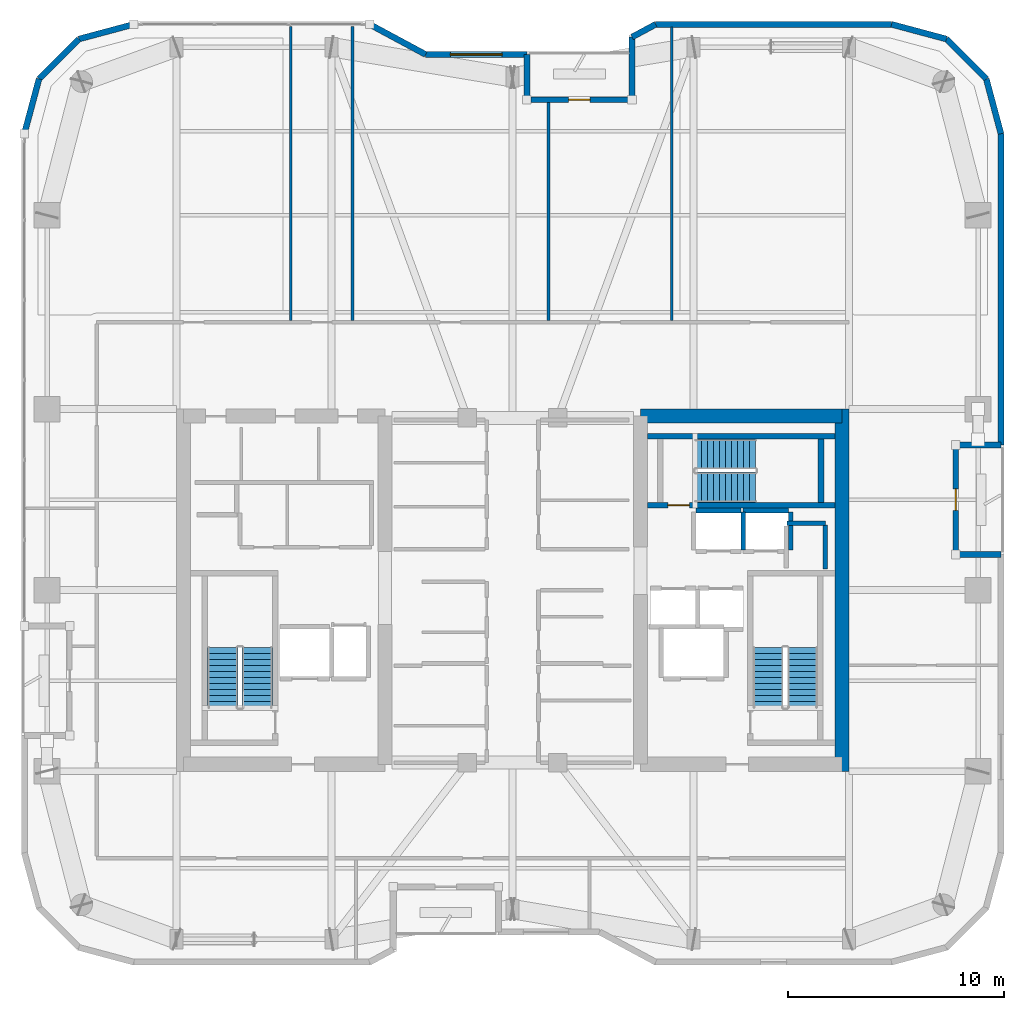
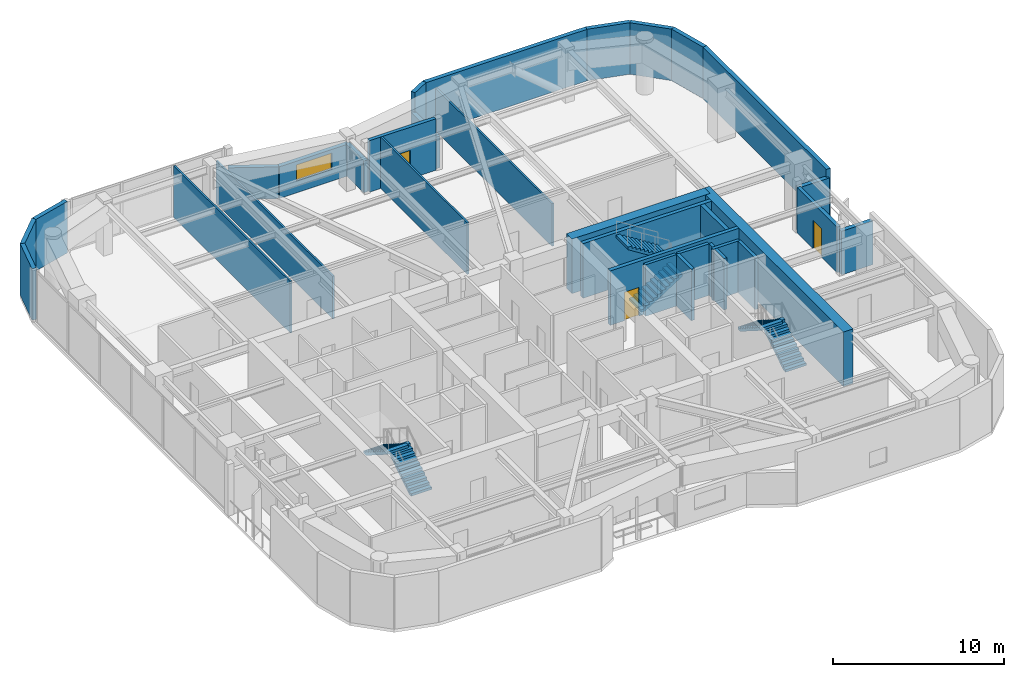
# One storey, part 18 of 21: 32 walls, 6 stair flights, 3 doors, 1 window, 4 openings, 3 elements without a shape of their own.
"""IFC4 building model written with IfcOpenShell, lengths in metres."""

from ifc_helpers import new_model, si_unit, direction, frame, frame_2d, origin, place, context, subcontext, project, spatial, polyline, rectangle, outline, extrude, material, layer, layer_set, type_object, element, fill, aggregate, save


model = new_model("IFC4")

# Units and contexts
model_context = context("Model", 3, precision=1e-05, world=origin(), true_north=direction((0.0, 1.0)))
body_context = subcontext(model_context, "Body", "Model", "MODEL_VIEW")
ifc_project = project(units=[si_unit("LENGTHUNIT", "METRE"), si_unit("AREAUNIT", "SQUARE_METRE"), si_unit("VOLUMEUNIT", "CUBIC_METRE"), si_unit("PLANEANGLEUNIT", "RADIAN"), si_unit("MASSUNIT", "GRAM", prefix="KILO")], contexts=[model_context])

# Site, building, storey
site_placement = place(None, origin())
site = spatial("IfcSite", under=ifc_project, at=site_placement, CompositionType="ELEMENT")
building_placement = place(site_placement, origin())
building = spatial("IfcBuilding", under=site, at=building_placement, Name="Kiyonajd Concourse Tower", CompositionType="ELEMENT")
storey_placement = place(building_placement, frame((0.0, 0.0, 223.199951171875)))
storey = spatial("IfcBuildingStorey", under=building, at=storey_placement, Name="L56", CompositionType="ELEMENT", Elevation=223.199951171875)

# Walls
ifc_material_1 = material(Name="Concrete C60/75", Category="concrete")
ifc_layer_1 = layer(ifc_material_1, 0.64990234375)
ifc_layer_set_1 = layer_set([ifc_layer_1], Name="Concrete C60/75")
wall_type_1 = type_object("IfcWallType", Name="WL-CORE-650", PredefinedType="SHEAR", material=ifc_layer_set_1)
wall_1_placement = place(storey_placement, frame((63.27490234375, 27.60009765625, 0.0), z_axis=(0.0, 0.0, 1.0), x_axis=(0.0, 1.0, 0.0)))
element("IfcWall", 1, at=wall_1_placement, inside=storey, type_object=wall_type_1, Name="L56 East Core Outer Shear Wall", PredefinedType="SHEAR", context=body_context, shape_type="SweptSolid", body=[
    extrude(rectangle(XDim=16.7998046875, YDim=0.64990234375, at=frame_2d((8.39990234375, 0.0))), origin(), (0.0, 0.0, 1.0), 3.900146484375),
])
wall_2_placement = place(storey_placement, frame((53.925048828125, 44.074951171875, 0.0), z_axis=(0.0, 0.0, 1.0), x_axis=(1.0, 0.0, 0.0)))
element("IfcWall", 2, at=wall_2_placement, inside=storey, type_object=wall_type_1, Name="L56 East Core North Shear Wall", PredefinedType="SHEAR", context=body_context, shape_type="SweptSolid", body=[
    extrude(rectangle(XDim=9.349853515625, YDim=0.64990234375, at=frame_2d((4.6748046875, 0.0))), origin(), (0.0, 0.0, 1.0), 3.900146484375),
])
ifc_material_2 = material(Name="Precast concrete C50/60", Category="concrete")
ifc_layer_2 = layer(ifc_material_2, 0.280029296875)
ifc_layer_set_2 = layer_set([ifc_layer_2], Name="Precast concrete C50/60")
wall_type_2 = type_object("IfcWallType", Name="WL-EXT-280", PredefinedType="SOLIDWALL", material=ifc_layer_set_2)
wall_3_placement = place(storey_placement, frame((25.340087890625, 57.181640625, 0.0), z_axis=(0.0, 0.0, 1.0), x_axis=(0.2588904131, 0.965906700466, 0.0)))
element("IfcWall", 3, at=wall_3_placement, inside=storey, type_object=wall_type_2, Name="L56 Exterior Concrete Frame Wall 06", PredefinedType="SOLIDWALL", context=body_context, shape_type="SweptSolid", body=[
    extrude(rectangle(XDim=2.6357421875, YDim=0.280029296875, at=frame_2d((1.31787109375, 0.0))), origin(), (0.0, 0.0, 1.0), 3.679931640625),
])
wall_4_placement = place(storey_placement, frame((26.0224609375, 59.7275390625, 0.0), z_axis=(0.0, 0.0, 1.0), x_axis=(0.707153437963, 0.707060121331, 0.0)))
element("IfcWall", 4, at=wall_4_placement, inside=storey, type_object=wall_type_2, Name="L56 Exterior Concrete Frame Wall 07", PredefinedType="SOLIDWALL", context=body_context, shape_type="SweptSolid", body=[
    extrude(rectangle(XDim=2.6162109375, YDim=0.280029296875, at=frame_2d((1.30810546875, 0.0))), origin(), (0.0, 0.0, 1.0), 3.679931640625),
])
wall_5_placement = place(storey_placement, frame((27.87255859375, 61.577392578125, 0.0), z_axis=(0.0, 0.0, 1.0), x_axis=(0.965883534663, 0.258976828051, 0.0)))
element("IfcWall", 5, at=wall_5_placement, inside=storey, type_object=wall_type_2, Name="L56 Exterior Concrete Frame Wall 08", PredefinedType="SOLIDWALL", context=body_context, shape_type="SweptSolid", body=[
    extrude(rectangle(XDim=2.6357421875, YDim=0.280029296875, at=frame_2d((1.31787109375, 0.0))), origin(), (0.0, 0.0, 1.0), 3.679931640625),
])
wall_6_placement = place(storey_placement, frame((41.36474609375, 62.260009765625, 0.0), z_axis=(0.0, 0.0, 1.0), x_axis=(0.880473754814, -0.474094892488, 0.0)))
element("IfcWall", 6, at=wall_6_placement, inside=storey, type_object=wall_type_2, Name="L56 Exterior Concrete Frame Wall 10", PredefinedType="SOLIDWALL", context=body_context, shape_type="SweptSolid", body=[
    extrude(rectangle(XDim=2.952880859375, YDim=0.280029296875, at=frame_2d((1.4765625, 0.0))), origin(), (0.0, 0.0, 1.0), 2.26513671875),
])

# Wall, opening, window
wall_7_placement = place(storey_placement, frame((43.964599609375, 60.860107421875, 0.0), z_axis=(0.0, 0.0, 1.0), x_axis=(1.0, 0.0, 0.0)))
wall_7 = element("IfcWall", 7, at=wall_7_placement, inside=storey, type_object=wall_type_2, Name="L56 Exterior Concrete Frame Wall 11", PredefinedType="SOLIDWALL", context=body_context, shape_type="SweptSolid", body=[
    extrude(rectangle(XDim=4.6953125, YDim=0.280029296875, at=frame_2d((2.34765625, 0.0))), origin(), (0.0, 0.0, 1.0), 2.26513671875),
])
opening_1_placement = place(wall_7_placement, frame((1.14794921875, 0.0, 0.85009765625)))
opening_1 = element("IfcOpeningElement", 8, at=opening_1_placement, cuts=wall_7, Name="Opening WN4", PredefinedType="OPENING", context=body_context, shape_type="SweptSolid", body=[
    extrude(rectangle(XDim=2.39990234375, YDim=1.14990234375, at=frame_2d((1.199951171875, 0.574951171875))), frame((0.0, 0.14990234375, 0.0), z_axis=(0.0, -1.0, 0.0), x_axis=(1.0, 0.0, 0.0)), (0.0, 0.0, 1.0), 0.300048828125),
])
ifc_material_3 = material(Name="Double Low-E Insulated Glass", Category="glass")
window_type = type_object("IfcWindowType", Name="WN-VIS-2400x1150", PartitioningType="SINGLE_PANEL", PredefinedType="WINDOW", material=ifc_material_3)
window_placement = place(opening_1_placement, origin())
window = element("IfcWindow", 9, at=window_placement, inside=storey, type_object=window_type, Name="L56 Modular Facade Vision Window 11", OverallHeight=1.14990234375, OverallWidth=2.39990234375, PartitioningType="SINGLE_PANEL", PredefinedType="WINDOW", context=body_context, shape_type="SweptSolid", body=[
    extrude(rectangle(XDim=2.39990234375, YDim=1.14990234375, at=frame_2d((1.199951171875, 0.574951171875))), frame((0.0, 0.030029296875, 0.0), z_axis=(0.0, -1.0, 0.0), x_axis=(1.0, 0.0, 0.0)), (0.0, 0.0, 1.0), 0.06005859375),
])
fill(opening_1, window)

# Walls
wall_8_placement = place(storey_placement, frame((48.659912109375, 60.860107421875, 0.0), z_axis=(0.0, 0.0, 1.0), x_axis=(0.0, -1.0, 0.0)))
element("IfcWall", 10, at=wall_8_placement, inside=storey, type_object=wall_type_2, Name="L56 Exterior Concrete Frame Wall 12", PredefinedType="SOLIDWALL", context=body_context, shape_type="SweptSolid", body=[
    extrude(rectangle(XDim=2.10009765625, YDim=0.280029296875, at=frame_2d((1.050048828125, 0.0))), origin(), (0.0, 0.0, 1.0), 2.26513671875),
])
wall_9_placement = place(storey_placement, frame((53.5400390625, 58.760009765625, 0.0), z_axis=(0.0, 0.0, 1.0), x_axis=(0.0, 1.0, 0.0)))
element("IfcWall", 11, at=wall_9_placement, inside=storey, type_object=wall_type_2, Name="L56 Exterior Concrete Frame Wall 14", PredefinedType="SOLIDWALL", context=body_context, shape_type="SweptSolid", body=[
    extrude(rectangle(XDim=2.910400390625, YDim=0.280029296875, at=frame_2d((1.455078125, 0.0))), origin(), (0.0, 0.0, 1.0), 2.26513671875),
])
wall_10_placement = place(storey_placement, frame((53.5400390625, 61.67041015625, 0.0), z_axis=(0.0, 0.0, 1.0), x_axis=(0.880515214249, 0.474017887296, 0.0)))
element("IfcWall", 12, at=wall_10_placement, inside=storey, type_object=wall_type_2, Name="L56 Exterior Concrete Frame Wall 15", PredefinedType="SOLIDWALL", context=body_context, shape_type="SweptSolid", body=[
    extrude(rectangle(XDim=1.243896484375, YDim=0.280029296875, at=frame_2d((0.6220703125, 0.0))), origin(), (0.0, 0.0, 1.0), 3.679931640625),
])
wall_11_placement = place(storey_placement, frame((54.63525390625, 62.260009765625, 0.0), z_axis=(0.0, 0.0, 1.0), x_axis=(1.0, 0.0, 0.0)))
element("IfcWall", 13, at=wall_11_placement, inside=storey, type_object=wall_type_2, Name="L56 Exterior Concrete Frame Wall 16", PredefinedType="SOLIDWALL", context=body_context, shape_type="SweptSolid", body=[
    extrude(rectangle(XDim=10.9462890625, YDim=0.280029296875, at=frame_2d((5.47314453125, 0.0))), origin(), (0.0, 0.0, 1.0), 3.679931640625),
])
wall_12_placement = place(storey_placement, frame((65.58154296875, 62.260009765625, 0.0), z_axis=(0.0, 0.0, 1.0), x_axis=(0.965883534663, -0.258976828051, 0.0)))
element("IfcWall", 14, at=wall_12_placement, inside=storey, type_object=wall_type_2, Name="L56 Exterior Concrete Frame Wall 17", PredefinedType="SOLIDWALL", context=body_context, shape_type="SweptSolid", body=[
    extrude(rectangle(XDim=2.6357421875, YDim=0.280029296875, at=frame_2d((1.31787109375, 0.0))), origin(), (0.0, 0.0, 1.0), 3.679931640625),
])
wall_13_placement = place(storey_placement, frame((68.12744140625, 61.577392578125, 0.0), z_axis=(0.0, 0.0, 1.0), x_axis=(0.707153437963, -0.707060121331, 0.0)))
element("IfcWall", 15, at=wall_13_placement, inside=storey, type_object=wall_type_2, Name="L56 Exterior Concrete Frame Wall 18", PredefinedType="SOLIDWALL", context=body_context, shape_type="SweptSolid", body=[
    extrude(rectangle(XDim=2.6162109375, YDim=0.280029296875, at=frame_2d((1.30810546875, 0.0))), origin(), (0.0, 0.0, 1.0), 3.679931640625),
])
wall_14_placement = place(storey_placement, frame((69.9775390625, 59.7275390625, 0.0), z_axis=(0.0, 0.0, 1.0), x_axis=(0.2588904131, -0.965906700466, 0.0)))
element("IfcWall", 16, at=wall_14_placement, inside=storey, type_object=wall_type_2, Name="L56 Exterior Concrete Frame Wall 19", PredefinedType="SOLIDWALL", context=body_context, shape_type="SweptSolid", body=[
    extrude(rectangle(XDim=2.6357421875, YDim=0.280029296875, at=frame_2d((1.31787109375, 0.0))), origin(), (0.0, 0.0, 1.0), 3.679931640625),
])
wall_15_placement = place(storey_placement, frame((70.659912109375, 57.181640625, 0.0), z_axis=(0.0, 0.0, 1.0), x_axis=(0.0, -1.0, 0.0)))
element("IfcWall", 17, at=wall_15_placement, inside=storey, type_object=wall_type_2, Name="L56 Exterior Concrete Frame Wall 20", PredefinedType="SOLIDWALL", context=body_context, shape_type="SweptSolid", body=[
    extrude(rectangle(XDim=14.441650390625, YDim=0.280029296875, at=frame_2d((7.220703125, 0.0))), origin(), (0.0, 0.0, 1.0), 3.679931640625),
])
for number, where, z_axis, x_axis, name in (
    (18, (70.659912109375, 42.739990234375, 0.0), (0.0, 0.0, 1.0), (-1.0, 0.0, 0.0), "L56 Exterior Concrete Frame Wall 21"),
    (19, (68.56005859375, 37.659912109375, 0.0), (0.0, 0.0, 1.0), (1.0, 0.0, 0.0), "L56 Exterior Concrete Frame Wall 23"),
):
    element("IfcWall", number, at=place(storey_placement, frame(where, z_axis=z_axis, x_axis=x_axis)), inside=storey, type_object=wall_type_2, Name=name, PredefinedType="SOLIDWALL", context=body_context, shape_type="SweptSolid", body=[
        extrude(rectangle(XDim=2.099853515625, YDim=0.280029296875, at=frame_2d((1.0498046875, 0.0))), origin(), (0.0, 0.0, 1.0), 3.115966796875),
    ])

# Wall, opening, door
ifc_layer_3 = layer(ifc_material_2, 0.239990234375)
ifc_layer_set_3 = layer_set([ifc_layer_3], Name="Precast concrete C50/60")
wall_type_3 = type_object("IfcWallType", Name="WL-LOG-240", PredefinedType="SOLIDWALL", material=ifc_layer_set_3)
wall_16_placement = place(storey_placement, frame((48.85498046875, 58.760009765625, 0.0), z_axis=(0.0, 0.0, 1.0), x_axis=(1.0, 0.0, 0.0)))
wall_16 = element("IfcWall", 20, at=wall_16_placement, inside=storey, type_object=wall_type_3, Name="L56 Recessed Loggia Thermal Wall LOG-N", PredefinedType="SOLIDWALL", context=body_context, shape_type="SweptSolid", body=[
    extrude(rectangle(XDim=4.489990234375, YDim=0.239990234375, at=frame_2d((2.2451171875, 0.0))), origin(), (0.0, 0.0, 1.0), 3.679931640625),
])
opening_2_placement = place(wall_16_placement, frame((1.7451171875, 0.0, 0.0)))
opening_2 = element("IfcOpeningElement", 21, at=opening_2_placement, cuts=wall_16, Name="Opening DL1", PredefinedType="OPENING", context=body_context, shape_type="SweptSolid", body=[
    extrude(rectangle(XDim=1.0, YDim=2.02001953125, at=frame_2d((0.5, 1.010009765625))), frame((0.0, 0.1298828125, 0.0), z_axis=(0.0, -1.0, 0.0), x_axis=(1.0, 0.0, 0.0)), (0.0, 0.0, 1.0), 0.260009765625),
])
ifc_material_4 = material(Name="Thermally Broken Anodised Aluminium", Category="aluminium")
door_type_1 = type_object("IfcDoorType", Name="DR-LOG-1000", OperationType="NOTDEFINED", PredefinedType="DOOR", material=ifc_material_4)
door_1_placement = place(opening_2_placement, origin())
door_1 = element("IfcDoor", 22, at=door_1_placement, inside=storey, type_object=door_type_1, Name="L56 Engawa Loggia Access Door LOG-N", OperationType="SINGLE_SWING_RIGHT", OverallHeight=2.02001953125, OverallWidth=1.0, PredefinedType="DOOR", context=body_context, shape_type="SweptSolid", body=[
    extrude(rectangle(XDim=1.0, YDim=2.02001953125, at=frame_2d((0.5, 1.010009765625))), frame((0.0, 0.02490234375, 0.0), z_axis=(0.0, -1.0, 0.0), x_axis=(1.0, 0.0, 0.0)), (0.0, 0.0, 1.0), 0.050048828125),
])
fill(opening_2, door_1)

wall_17_placement = place(storey_placement, frame((68.56005859375, 42.544921875, 0.0), z_axis=(0.0, 0.0, 1.0), x_axis=(0.0, -1.0, 0.0)))
wall_17 = element("IfcWall", 23, at=wall_17_placement, inside=storey, type_object=wall_type_3, Name="L56 Recessed Loggia Thermal Wall LOG-E", PredefinedType="SOLIDWALL", context=body_context, shape_type="SweptSolid", body=[
    extrude(rectangle(XDim=4.68994140625, YDim=0.239990234375, at=frame_2d((2.344970703125, 0.0))), origin(), (0.0, 0.0, 1.0), 3.248046875),
])
opening_3_placement = place(wall_17_placement, frame((1.844970703125, 0.0, 0.0)))
opening_3 = element("IfcOpeningElement", 24, at=opening_3_placement, cuts=wall_17, Name="Opening DL1", PredefinedType="OPENING", context=body_context, shape_type="SweptSolid", body=[
    extrude(rectangle(XDim=1.0, YDim=2.02001953125, at=frame_2d((0.5, 1.010009765625))), frame((0.0, 0.1298828125, 0.0), z_axis=(0.0, -1.0, 0.0), x_axis=(1.0, 0.0, 0.0)), (0.0, 0.0, 1.0), 0.260009765625),
])
door_2_placement = place(opening_3_placement, origin())
door_2 = element("IfcDoor", 25, at=door_2_placement, inside=storey, type_object=door_type_1, Name="L56 Engawa Loggia Access Door LOG-E", OperationType="SINGLE_SWING_LEFT", OverallHeight=2.02001953125, OverallWidth=1.0, PredefinedType="DOOR", context=body_context, shape_type="SweptSolid", body=[
    extrude(rectangle(XDim=1.0, YDim=2.02001953125, at=frame_2d((0.5, 1.010009765625))), frame((0.0, 0.02490234375, 0.0), z_axis=(0.0, -1.0, 0.0), x_axis=(1.0, 0.0, 0.0)), (0.0, 0.0, 1.0), 0.050048828125),
])
fill(opening_3, door_2)

# Walls
ifc_material_5 = material(Name="Gypsum Board on Cold-Formed Steel Stud", Category="steel")
ifc_layer_4 = layer(ifc_material_5, 0.125)
ifc_layer_set_4 = layer_set([ifc_layer_4], Name="Gypsum Board on Cold-Formed Steel Stud")
wall_type_4 = type_object("IfcWallType", Name="WL-PART-125", PredefinedType="PARTITIONING", material=ifc_layer_set_4)
wall_18_placement = place(storey_placement, frame((37.699951171875, 48.51708984375, 0.0), z_axis=(0.0, 0.0, 1.0), x_axis=(0.0, 1.0, 0.0)))
element("IfcWall", 26, at=wall_18_placement, inside=storey, type_object=wall_type_4, Name="L56 Interior Partition Wall", PredefinedType="PARTITIONING", context=body_context, shape_type="SweptSolid", body=[
    extrude(rectangle(XDim=13.64794921875, YDim=0.125, at=frame_2d((6.823974609375, 0.0))), origin(), (0.0, 0.0, 1.0), 3.679931640625),
])
wall_19_placement = place(storey_placement, frame((40.570068359375, 48.51708984375, 0.0), z_axis=(0.0, 0.0, 1.0), x_axis=(0.0, 1.0, 0.0)))
element("IfcWall", 27, at=wall_19_placement, inside=storey, type_object=wall_type_4, Name="L56 Interior Partition Wall", PredefinedType="PARTITIONING", context=body_context, shape_type="SweptSolid", body=[
    extrude(rectangle(XDim=13.64794921875, YDim=0.125, at=frame_2d((6.823974609375, 0.0))), origin(), (0.0, 0.0, 1.0), 3.04296875),
])
wall_20_placement = place(storey_placement, frame((49.659912109375, 48.51708984375, 0.0), z_axis=(0.0, 0.0, 1.0), x_axis=(0.0, 1.0, 0.0)))
element("IfcWall", 28, at=wall_20_placement, inside=storey, type_object=wall_type_4, Name="L56 Interior Partition Wall", PredefinedType="PARTITIONING", context=body_context, shape_type="SweptSolid", body=[
    extrude(rectangle(XDim=10.1279296875, YDim=0.125, at=frame_2d((5.06396484375, 0.0))), origin(), (0.0, 0.0, 1.0), 3.679931640625),
])
wall_21_placement = place(storey_placement, frame((55.389892578125, 48.51708984375, 0.0), z_axis=(0.0, 0.0, 1.0), x_axis=(0.0, 1.0, 0.0)))
element("IfcWall", 29, at=wall_21_placement, inside=storey, type_object=wall_type_4, Name="L56 Interior Partition Wall", PredefinedType="PARTITIONING", context=body_context, shape_type="SweptSolid", body=[
    extrude(rectangle(XDim=13.60791015625, YDim=0.125, at=frame_2d((6.803955078125, 0.0))), origin(), (0.0, 0.0, 1.0), 3.04296875),
])
ifc_layer_5 = layer(ifc_material_5, 0.2099609375)
ifc_layer_set_5 = layer_set([ifc_layer_5], Name="Gypsum Board on Cold-Formed Steel Stud")
wall_type_5 = type_object("IfcWallType", Name="WL-SHAFT-210", PredefinedType="PARTITIONING", material=ifc_layer_set_5)
wall_22_placement = place(storey_placement, frame((60.719970703125, 39.10009765625, 0.0), z_axis=(0.0, 0.0, 1.0), x_axis=(1.0, 0.0, 0.0)))
element("IfcWall", 30, at=wall_22_placement, inside=storey, type_object=wall_type_5, Name="L56 Shaft Enclosure Wall", PredefinedType="PARTITIONING", context=body_context, shape_type="SweptSolid", body=[
    extrude(rectangle(XDim=1.800048828125, YDim=0.2099609375, at=frame_2d((0.89990234375, 0.0))), origin(), (0.0, 0.0, 1.0), 3.679931640625),
])
wall_23_placement = place(storey_placement, frame((62.5, 36.97998046875, 0.0), z_axis=(0.0, 0.0, 1.0), x_axis=(0.0, 1.0, 0.0)))
element("IfcWall", 31, at=wall_23_placement, inside=storey, type_object=wall_type_5, Name="L56 Shaft Enclosure Wall", PredefinedType="PARTITIONING", context=body_context, shape_type="SweptSolid", body=[
    extrude(rectangle(XDim=2.0400390625, YDim=0.2099609375, at=frame_2d((1.02001953125, 0.0))), origin(), (0.0, 0.0, 1.0), 3.679931640625),
])
wall_24_placement = place(storey_placement, frame((56.5, 39.699951171875, 0.0), z_axis=(0.0, 0.0, 1.0), x_axis=(1.0, 0.0, 0.0)))
element("IfcWall", 32, at=wall_24_placement, inside=storey, type_object=wall_type_5, Name="L56 Shaft Enclosure Wall", PredefinedType="PARTITIONING", context=body_context, shape_type="SweptSolid", body=[
    extrude(rectangle(XDim=2.10009765625, YDim=0.2099609375, at=frame_2d((1.050048828125, 0.0))), origin(), (0.0, 0.0, 1.0), 3.679931640625),
])
wall_25_placement = place(storey_placement, frame((58.699951171875, 37.860107421875, 0.0), z_axis=(0.0, 0.0, 1.0), x_axis=(0.0, 1.0, 0.0)))
element("IfcWall", 33, at=wall_25_placement, inside=storey, type_object=wall_type_5, Name="L56 Shaft Enclosure Wall", PredefinedType="PARTITIONING", context=body_context, shape_type="SweptSolid", body=[
    extrude(rectangle(XDim=1.77978515625, YDim=0.2099609375, at=frame_2d((0.889892578125, 0.0))), origin(), (0.0, 0.0, 1.0), 3.679931640625),
])
wall_26_placement = place(storey_placement, frame((58.699951171875, 39.699951171875, 0.0), z_axis=(0.0, 0.0, 1.0), x_axis=(1.0, 0.0, 0.0)))
element("IfcWall", 34, at=wall_26_placement, inside=storey, type_object=wall_type_5, Name="L56 Shaft Enclosure Wall", PredefinedType="PARTITIONING", context=body_context, shape_type="SweptSolid", body=[
    extrude(rectangle(XDim=2.10009765625, YDim=0.2099609375, at=frame_2d((1.050048828125, 0.0))), origin(), (0.0, 0.0, 1.0), 3.679931640625),
])
wall_27_placement = place(storey_placement, frame((60.89990234375, 37.860107421875, 0.0), z_axis=(0.0, 0.0, 1.0), x_axis=(0.0, 1.0, 0.0)))
element("IfcWall", 35, at=wall_27_placement, inside=storey, type_object=wall_type_5, Name="L56 Shaft Enclosure Wall", PredefinedType="PARTITIONING", context=body_context, shape_type="SweptSolid", body=[
    extrude(rectangle(XDim=1.77978515625, YDim=0.2099609375, at=frame_2d((0.889892578125, 0.0))), origin(), (0.0, 0.0, 1.0), 3.679931640625),
])

# Wall, opening, door
ifc_material_6 = material(Name="Concrete C50/60", Category="concrete")
ifc_layer_6 = layer(ifc_material_6, 0.260009765625)
ifc_layer_set_6 = layer_set([ifc_layer_6], Name="Concrete C50/60")
wall_type_6 = type_object("IfcWallType", Name="WL-STAIR-260", PredefinedType="SHEAR", material=ifc_layer_set_6)
wall_28_placement = place(storey_placement, frame((54.25, 39.949951171875, 0.0), z_axis=(0.0, 0.0, 1.0), x_axis=(1.0, 0.0, 0.0)))
wall_28 = element("IfcWall", 36, at=wall_28_placement, inside=storey, type_object=wall_type_6, Name="L56 Stair ST3 Structural South Wall", PredefinedType="SHEAR", context=body_context, shape_type="SweptSolid", body=[
    extrude(rectangle(XDim=8.699951171875, YDim=0.260009765625, at=frame_2d((4.35009765625, 0.0))), origin(), (0.0, 0.0, 1.0), 3.900146484375),
])
opening_4_placement = place(wall_28_placement, frame((0.949951171875, 0.0, 0.0)))
opening_4 = element("IfcOpeningElement", 37, at=opening_4_placement, cuts=wall_28, Name="Opening DF1", PredefinedType="OPENING", context=body_context, shape_type="SweptSolid", body=[
    extrude(rectangle(XDim=1.0, YDim=2.0400390625, at=frame_2d((0.5, 1.02001953125))), frame((0.0, 0.139892578125, 0.0), z_axis=(0.0, -1.0, 0.0), x_axis=(1.0, 0.0, 0.0)), (0.0, 0.0, 1.0), 0.280029296875),
])
ifc_material_7 = material(Name="Brushed Stainless Steel Cab Assembly", Category="steel")
door_type_2 = type_object("IfcDoorType", Name="DR-FD90-1000", OperationType="NOTDEFINED", PredefinedType="DOOR", material=ifc_material_7)
door_3_placement = place(opening_4_placement, origin())
door_3 = element("IfcDoor", 38, at=door_3_placement, inside=storey, type_object=door_type_2, Name="L56 Stair ST3 Enclosure Door", OperationType="SINGLE_SWING_LEFT", OverallHeight=2.0400390625, OverallWidth=1.0, PredefinedType="DOOR", context=body_context, shape_type="SweptSolid", body=[
    extrude(rectangle(XDim=1.0, YDim=2.0400390625, at=frame_2d((0.5, 1.02001953125))), frame((0.0, 0.02490234375, 0.0), z_axis=(0.0, -1.0, 0.0), x_axis=(1.0, 0.0, 0.0)), (0.0, 0.0, 1.0), 0.050048828125),
])
fill(opening_4, door_3)

# Walls
wall_29_placement = place(storey_placement, frame((54.25, 43.14990234375, 0.0), z_axis=(0.0, 0.0, 1.0), x_axis=(1.0, 0.0, 0.0)))
element("IfcWall", 39, at=wall_29_placement, inside=storey, type_object=wall_type_6, Name="L56 Stair ST3 Structural North Wall", PredefinedType="SHEAR", context=body_context, shape_type="SweptSolid", body=[
    extrude(rectangle(XDim=8.699951171875, YDim=0.260009765625, at=frame_2d((4.35009765625, 0.0))), origin(), (0.0, 0.0, 1.0), 3.900146484375),
])
wall_30_placement = place(storey_placement, frame((62.31005859375, 40.080078125, 0.0), z_axis=(0.0, 0.0, 1.0), x_axis=(0.0, 1.0, 0.0)))
element("IfcWall", 40, at=wall_30_placement, inside=storey, type_object=wall_type_6, Name="L56 Stair ST3 Structural East Wall", PredefinedType="SHEAR", context=body_context, shape_type="SweptSolid", body=[
    extrude(rectangle(XDim=2.93994140625, YDim=0.260009765625, at=frame_2d((1.469970703125, 0.0))), origin(), (0.0, 0.0, 1.0), 3.900146484375),
])

# Stair, stair flights
ifc_material_8 = material(Name="Concrete C40/50", Category="concrete")
stair_type = type_object("IfcStairType", Name="ST-DLG-22R", PredefinedType="HALF_TURN_STAIR", material=ifc_material_8)
stair_1_placement = place(storey_placement, origin())
stair_1 = element("IfcStair", 41, at=stair_1_placement, inside=storey, type_object=stair_type, Name="L56 Protected Exit Stair ST1", PredefinedType="HALF_TURN_STAIR")
stair_flight_type = type_object("IfcStairFlightType", Name="SF-STR-22R", PredefinedType="STRAIGHT", material=ifc_material_8)
stair_flight_1_placement = place(storey_placement, frame((36.14990234375, 30.550048828125, 0.0), z_axis=(0.0, 0.0, 1.0), x_axis=(0.0, 1.0, 0.0)))
stair_flight_1 = element("IfcStairFlight", 42, at=stair_flight_1_placement, type_object=stair_flight_type, Name="ST1 flight 1", NumberOfRisers=11, NumberOfTreads=10, PredefinedType="STRAIGHT", RiserHeight=0.177272727, TreadLength=0.28, context=body_context, shape_type="SweptSolid", body=[
    extrude(outline(polyline([(0.0, 0.0), (0.0, 0.17724609375), (0.280029296875, 0.17724609375), (0.280029296875, 0.3544921875), (0.56005859375, 0.3544921875), (0.56005859375, 0.53173828125), (0.840087890625, 0.53173828125), (0.840087890625, 0.708984375), (1.1201171875, 0.708984375), (1.1201171875, 0.886474609375), (1.39990234375, 0.886474609375), (1.39990234375, 1.063720703125), (1.679931640625, 1.063720703125), (1.679931640625, 1.240966796875), (1.9599609375, 1.240966796875), (1.9599609375, 1.418212890625), (2.239990234375, 1.418212890625), (2.239990234375, 1.595458984375), (2.52001953125, 1.595458984375), (2.52001953125, 1.772705078125), (2.800048828125, 1.772705078125), (2.800048828125, 1.949951171875), (2.800048828125, 1.59521484375), (0.2802734375, 0.0), (0.0, 0.0)])), frame((0.0, 0.699951171875, 0.0), z_axis=(0.0, -1.0, 0.0), x_axis=(1.0, 0.0, 0.0)), (0.0, 0.0, 1.0), 1.39990234375),
])
stair_flight_2_placement = place(storey_placement, frame((34.550048828125, 33.35009765625, 1.949951171875), z_axis=(0.0, 0.0, 1.0), x_axis=(0.0, -1.0, 0.0)))
stair_flight_2 = element("IfcStairFlight", 43, at=stair_flight_2_placement, type_object=stair_flight_type, Name="ST1 flight 2", NumberOfRisers=11, NumberOfTreads=10, PredefinedType="STRAIGHT", RiserHeight=0.177272727, TreadLength=0.28, context=body_context, shape_type="SweptSolid", body=[
    extrude(outline(polyline([(0.0, 0.0), (0.0, 0.17724609375), (0.280029296875, 0.17724609375), (0.280029296875, 0.3544921875), (0.56005859375, 0.3544921875), (0.56005859375, 0.53173828125), (0.840087890625, 0.53173828125), (0.840087890625, 0.708984375), (1.1201171875, 0.708984375), (1.1201171875, 0.886474609375), (1.39990234375, 0.886474609375), (1.39990234375, 1.063720703125), (1.679931640625, 1.063720703125), (1.679931640625, 1.240966796875), (1.9599609375, 1.240966796875), (1.9599609375, 1.418212890625), (2.239990234375, 1.418212890625), (2.239990234375, 1.595458984375), (2.52001953125, 1.595458984375), (2.52001953125, 1.772705078125), (2.800048828125, 1.772705078125), (2.800048828125, 1.949951171875), (2.800048828125, 1.59521484375), (0.2802734375, 0.0), (0.0, 0.0)])), frame((0.0, 0.699951171875, 0.0), z_axis=(0.0, -1.0, 0.0), x_axis=(1.0, 0.0, 0.0)), (0.0, 0.0, 1.0), 1.39990234375),
])
aggregate(stair_1, [stair_flight_1, stair_flight_2])

stair_2_placement = place(storey_placement, origin())
stair_2 = element("IfcStair", 44, at=stair_2_placement, inside=storey, type_object=stair_type, Name="L56 Protected Exit Stair ST2", PredefinedType="HALF_TURN_STAIR")
stair_flight_3_placement = place(storey_placement, frame((61.449951171875, 30.550048828125, 0.0), z_axis=(0.0, 0.0, 1.0), x_axis=(0.0, 1.0, 0.0)))
stair_flight_3 = element("IfcStairFlight", 45, at=stair_flight_3_placement, type_object=stair_flight_type, Name="ST2 flight 1", NumberOfRisers=11, NumberOfTreads=10, PredefinedType="STRAIGHT", RiserHeight=0.177272727, TreadLength=0.28, context=body_context, shape_type="SweptSolid", body=[
    extrude(outline(polyline([(0.0, 0.0), (0.0, 0.17724609375), (0.280029296875, 0.17724609375), (0.280029296875, 0.3544921875), (0.56005859375, 0.3544921875), (0.56005859375, 0.53173828125), (0.840087890625, 0.53173828125), (0.840087890625, 0.708984375), (1.1201171875, 0.708984375), (1.1201171875, 0.886474609375), (1.39990234375, 0.886474609375), (1.39990234375, 1.063720703125), (1.679931640625, 1.063720703125), (1.679931640625, 1.240966796875), (1.9599609375, 1.240966796875), (1.9599609375, 1.418212890625), (2.239990234375, 1.418212890625), (2.239990234375, 1.595458984375), (2.52001953125, 1.595458984375), (2.52001953125, 1.772705078125), (2.800048828125, 1.772705078125), (2.800048828125, 1.949951171875), (2.800048828125, 1.59521484375), (0.2802734375, 0.0), (0.0, 0.0)])), frame((0.0, 0.699951171875, 0.0), z_axis=(0.0, -1.0, 0.0), x_axis=(1.0, 0.0, 0.0)), (0.0, 0.0, 1.0), 1.39990234375),
])
stair_flight_4_placement = place(storey_placement, frame((59.85009765625, 33.35009765625, 1.949951171875), z_axis=(0.0, 0.0, 1.0), x_axis=(0.0, -1.0, 0.0)))
stair_flight_4 = element("IfcStairFlight", 46, at=stair_flight_4_placement, type_object=stair_flight_type, Name="ST2 flight 2", NumberOfRisers=11, NumberOfTreads=10, PredefinedType="STRAIGHT", RiserHeight=0.177272727, TreadLength=0.28, context=body_context, shape_type="SweptSolid", body=[
    extrude(outline(polyline([(0.0, 0.0), (0.0, 0.17724609375), (0.280029296875, 0.17724609375), (0.280029296875, 0.3544921875), (0.56005859375, 0.3544921875), (0.56005859375, 0.53173828125), (0.840087890625, 0.53173828125), (0.840087890625, 0.708984375), (1.1201171875, 0.708984375), (1.1201171875, 0.886474609375), (1.39990234375, 0.886474609375), (1.39990234375, 1.063720703125), (1.679931640625, 1.063720703125), (1.679931640625, 1.240966796875), (1.9599609375, 1.240966796875), (1.9599609375, 1.418212890625), (2.239990234375, 1.418212890625), (2.239990234375, 1.595458984375), (2.52001953125, 1.595458984375), (2.52001953125, 1.772705078125), (2.800048828125, 1.772705078125), (2.800048828125, 1.949951171875), (2.800048828125, 1.59521484375), (0.2802734375, 0.0), (0.0, 0.0)])), frame((0.0, 0.699951171875, 0.0), z_axis=(0.0, -1.0, 0.0), x_axis=(1.0, 0.0, 0.0)), (0.0, 0.0, 1.0), 1.39990234375),
])
aggregate(stair_2, [stair_flight_3, stair_flight_4])

stair_3_placement = place(storey_placement, origin())
stair_3 = element("IfcStair", 47, at=stair_3_placement, inside=storey, type_object=stair_type, Name="L56 Protected Exit Stair ST3", PredefinedType="HALF_TURN_STAIR")
stair_flight_5_placement = place(storey_placement, frame((56.47998046875, 40.780029296875, 0.0), z_axis=(0.0, 0.0, 1.0), x_axis=(1.0, 0.0, 0.0)))
stair_flight_5 = element("IfcStairFlight", 48, at=stair_flight_5_placement, type_object=stair_flight_type, Name="ST3 flight 1", NumberOfRisers=11, NumberOfTreads=10, PredefinedType="STRAIGHT", RiserHeight=0.177272727, TreadLength=0.28, context=body_context, shape_type="SweptSolid", body=[
    extrude(outline(polyline([(0.0, 0.0), (0.0, 0.17724609375), (0.280029296875, 0.17724609375), (0.280029296875, 0.3544921875), (0.56005859375, 0.3544921875), (0.56005859375, 0.53173828125), (0.840087890625, 0.53173828125), (0.840087890625, 0.708984375), (1.1201171875, 0.708984375), (1.1201171875, 0.886474609375), (1.39990234375, 0.886474609375), (1.39990234375, 1.063720703125), (1.679931640625, 1.063720703125), (1.679931640625, 1.240966796875), (1.9599609375, 1.240966796875), (1.9599609375, 1.418212890625), (2.239990234375, 1.418212890625), (2.239990234375, 1.595458984375), (2.52001953125, 1.595458984375), (2.52001953125, 1.772705078125), (2.800048828125, 1.772705078125), (2.800048828125, 1.949951171875), (2.800048828125, 1.59521484375), (0.2802734375, 0.0), (0.0, 0.0)])), frame((0.0, 0.699951171875, 0.0), z_axis=(0.0, -1.0, 0.0), x_axis=(1.0, 0.0, 0.0)), (0.0, 0.0, 1.0), 1.39990234375),
])
stair_flight_6_placement = place(storey_placement, frame((59.280029296875, 42.320068359375, 1.949951171875), z_axis=(0.0, 0.0, 1.0), x_axis=(-1.0, 0.0, 0.0)))
stair_flight_6 = element("IfcStairFlight", 49, at=stair_flight_6_placement, type_object=stair_flight_type, Name="ST3 flight 2", NumberOfRisers=11, NumberOfTreads=10, PredefinedType="STRAIGHT", RiserHeight=0.177272727, TreadLength=0.28, context=body_context, shape_type="SweptSolid", body=[
    extrude(outline(polyline([(0.0, 0.0), (0.0, 0.17724609375), (0.280029296875, 0.17724609375), (0.280029296875, 0.3544921875), (0.56005859375, 0.3544921875), (0.56005859375, 0.53173828125), (0.840087890625, 0.53173828125), (0.840087890625, 0.708984375), (1.1201171875, 0.708984375), (1.1201171875, 0.886474609375), (1.39990234375, 0.886474609375), (1.39990234375, 1.063720703125), (1.679931640625, 1.063720703125), (1.679931640625, 1.240966796875), (1.9599609375, 1.240966796875), (1.9599609375, 1.418212890625), (2.239990234375, 1.418212890625), (2.239990234375, 1.595458984375), (2.52001953125, 1.595458984375), (2.52001953125, 1.772705078125), (2.800048828125, 1.772705078125), (2.800048828125, 1.949951171875), (2.800048828125, 1.59521484375), (0.2802734375, 0.0), (0.0, 0.0)])), frame((0.0, 0.699951171875, 0.0), z_axis=(0.0, -1.0, 0.0), x_axis=(1.0, 0.0, 0.0)), (0.0, 0.0, 1.0), 1.39990234375),
])
aggregate(stair_3, [stair_flight_5, stair_flight_6])

save(model, "model.ifc")
